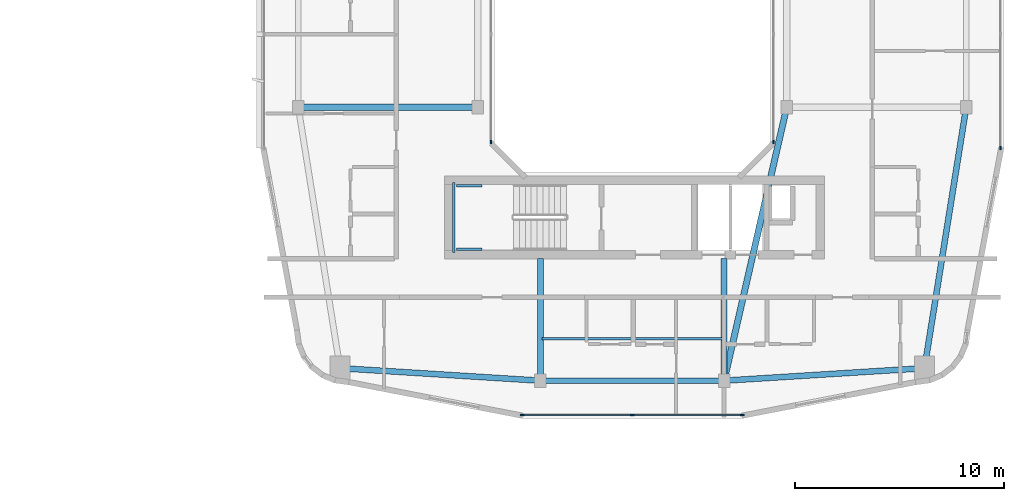
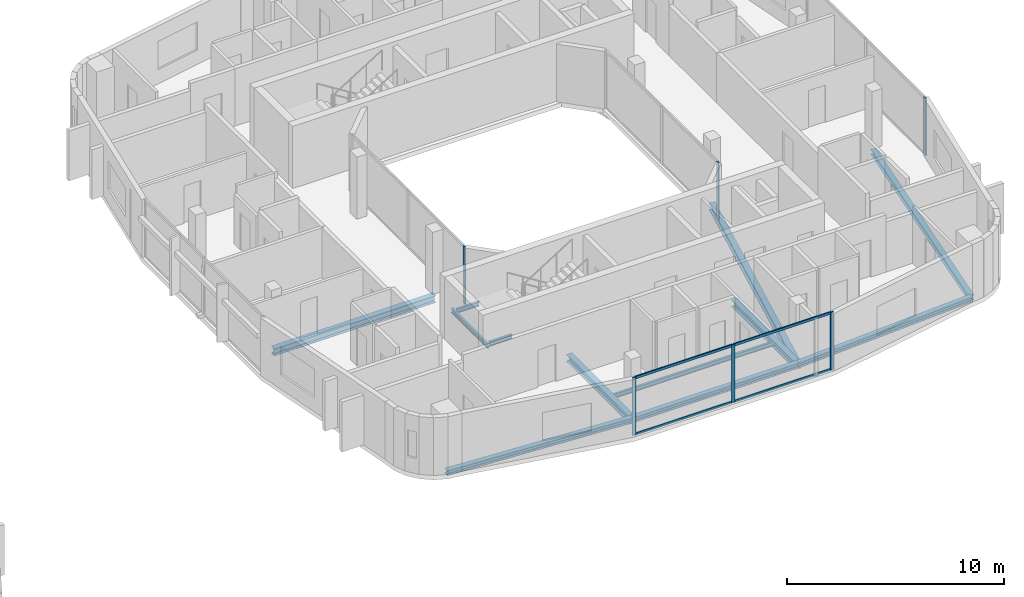
# One storey, part 8 of 26: 12 beams, 10 members, 4 elements without a shape of their own.
"""IFC4 building model written with IfcOpenShell, lengths in metres."""

from ifc_helpers import new_model, si_unit, derived_unit, direction, frame, origin, origin_2d, place, context, subcontext, project, spatial, rectangle, i_section, extrude, material, layer, layer_set, material_profile, profile_set, type_object, element, aggregate, save


model = new_model("IFC4")

# Units and contexts
model_context = context("Model", 3, precision=1e-05, world=origin(), true_north=direction((0.0, 1.0)))
body_context = subcontext(model_context, "Body", "Model", "MODEL_VIEW")
ifc_project = project(units=[si_unit("LENGTHUNIT", "METRE"), si_unit("AREAUNIT", "SQUARE_METRE"), si_unit("VOLUMEUNIT", "CUBIC_METRE"), si_unit("PLANEANGLEUNIT", "RADIAN"), si_unit("MASSUNIT", "GRAM", prefix="KILO"), derived_unit("THERMALTRANSMITTANCEUNIT", [(si_unit("POWERUNIT", "WATT"), 1), (si_unit("LENGTHUNIT", "METRE"), -2), (si_unit("THERMODYNAMICTEMPERATUREUNIT", "KELVIN"), -1)])], contexts=[model_context])

# Site, building, storey
site_placement = place(None, origin())
site = spatial("IfcSite", under=ifc_project, at=site_placement, CompositionType="ELEMENT")
building_placement = place(site_placement, origin())
building = spatial("IfcBuilding", under=site, at=building_placement, Name="Kivonza Crest Hotel", CompositionType="ELEMENT")
storey_placement = place(building_placement, frame((0.0, 0.0, 127.5)))
storey = spatial("IfcBuildingStorey", under=building, at=storey_placement, Name="L34", CompositionType="ELEMENT", Elevation=127.5)

# Beams
ifc_material_1 = material(Name="Steel S355", Category="steel")
ifc_material_profile_1 = material_profile(ifc_material_1, i_section(OverallWidth=0.280029296875, OverallDepth=0.280029296875, WebThickness=0.010498046875, FlangeThickness=0.01806640625, FilletRadius=0.02392578125, at=origin_2d()), Name="HEB 280")
ifc_profile_set_1 = profile_set([ifc_material_profile_1], Name="Steel S355")
beam_type_1 = type_object("IfcBeamType", Name="BM-HEB280", PredefinedType="SPANDREL", material=ifc_profile_set_1)
beam_1_placement = place(storey_placement, frame((72.60009765625, 8.39990234375, -0.389892578125), z_axis=(1.0, 0.0, 0.0), x_axis=(0.0, 1.0, 0.0)))
element("IfcBeam", 1, at=beam_1_placement, inside=storey, type_object=beam_type_1, Name="Companion Tower T2 L34 perimeter spandrel S1-S2", PredefinedType="SPANDREL", context=body_context, shape_type="SweptSolid", body=[
    extrude(i_section(OverallWidth=0.280029296875, OverallDepth=0.280029296875, WebThickness=0.010498046875, FlangeThickness=0.01806640625, FilletRadius=0.02392578125, at=origin_2d()), origin(), (0.0, 0.0, 1.0), 8.7998046875),
])
beam_2_placement = place(storey_placement, frame((81.39990234375, 8.39990234375, -0.389892578125), z_axis=(0.998051985873, 0.062387767186, 0.0), x_axis=(-0.062387767186, 0.998051985873, 0.0)))
element("IfcBeam", 2, at=beam_2_placement, inside=storey, type_object=beam_type_1, Name="Companion Tower T2 L34 perimeter spandrel S2-SE", PredefinedType="SPANDREL", context=body_context, shape_type="SweptSolid", body=[
    extrude(i_section(OverallWidth=0.280029296875, OverallDepth=0.280029296875, WebThickness=0.010498046875, FlangeThickness=0.01806640625, FilletRadius=0.02392578125, at=origin_2d()), origin(), (0.0, 0.0, 1.0), 9.618896484375),
])
beam_3_placement = place(storey_placement, frame((91.0, 9.0, -0.389892578125), z_axis=(0.157990501107, 0.987440631917, 0.0), x_axis=(-0.987440631917, 0.157990501107, 0.0)))
element("IfcBeam", 3, at=beam_3_placement, inside=storey, type_object=beam_type_1, Name="Companion Tower T2 L34 perimeter spandrel SE-E1", PredefinedType="SPANDREL", context=body_context, shape_type="SweptSolid", body=[
    extrude(i_section(OverallWidth=0.280029296875, OverallDepth=0.280029296875, WebThickness=0.010498046875, FlangeThickness=0.01806640625, FilletRadius=0.02392578125, at=origin_2d()), origin(), (0.0, 0.0, 1.0), 12.658935546875),
])
beam_4_placement = place(storey_placement, frame((63.0, 9.0, -0.389892578125), z_axis=(0.998051985873, -0.062387767186, 0.0), x_axis=(0.062387767186, 0.998051985873, 0.0)))
element("IfcBeam", 4, at=beam_4_placement, inside=storey, type_object=beam_type_1, Name="Companion Tower T2 L34 perimeter spandrel SW-S1", PredefinedType="SPANDREL", context=body_context, shape_type="SweptSolid", body=[
    extrude(i_section(OverallWidth=0.280029296875, OverallDepth=0.280029296875, WebThickness=0.010498046875, FlangeThickness=0.01806640625, FilletRadius=0.02392578125, at=origin_2d()), origin(), (0.0, 0.0, 1.0), 9.618896484375),
])
ifc_material_profile_2 = material_profile(ifc_material_1, i_section(OverallWidth=0.300048828125, OverallDepth=0.39990234375, WebThickness=0.013427734375, FlangeThickness=0.02392578125, FilletRadius=0.027099609375, at=origin_2d()), Name="HEB 400")
ifc_profile_set_2 = profile_set([ifc_material_profile_2], Name="Steel S355")
beam_type_2 = type_object("IfcBeamType", Name="BM-HEB400", PredefinedType="BEAM", material=ifc_profile_set_2)
beam_5_placement = place(storey_placement, frame((61.0, 21.5, -0.449951171875), z_axis=(1.0, 0.0, 0.0), x_axis=(0.0, 1.0, 0.0)))
element("IfcBeam", 5, at=beam_5_placement, inside=storey, type_object=beam_type_2, Name="Companion Tower T2 L34 girder W1-WL1", PredefinedType="BEAM", context=body_context, shape_type="SweptSolid", body=[
    extrude(i_section(OverallWidth=0.300048828125, OverallDepth=0.39990234375, WebThickness=0.013427734375, FlangeThickness=0.02392578125, FilletRadius=0.027099609375, at=origin_2d()), origin(), (0.0, 0.0, 1.0), 8.60009765625),
])
beam_6_placement = place(storey_placement, frame((84.39990234375, 21.5, -0.449951171875), z_axis=(-0.223227287589, -0.974766422317, 0.0), x_axis=(0.974766422317, -0.223227287589, 0.0)))
element("IfcBeam", 6, at=beam_6_placement, inside=storey, type_object=beam_type_2, Name="Companion Tower T2 L34 girder WR1-S2", PredefinedType="BEAM", context=body_context, shape_type="SweptSolid", body=[
    extrude(i_section(OverallWidth=0.300048828125, OverallDepth=0.39990234375, WebThickness=0.013427734375, FlangeThickness=0.02392578125, FilletRadius=0.027099609375, at=origin_2d()), origin(), (0.0, 0.0, 1.0), 13.439208984375),
])
for number, where, z_axis, x_axis, name in (
    (7, (72.60009765625, 8.39990234375, -0.449951171875), (0.0, 1.0, 0.0), (-1.0, 0.0, 0.0), "Companion T2 L34 radial core girder RS1"),
    (8, (81.39990234375, 8.39990234375, -0.449951171875), (0.0, 1.0, 0.0), (-1.0, 0.0, 0.0), "Companion T2 L34 radial core girder RS2"),
):
    element("IfcBeam", number, at=place(storey_placement, frame(where, z_axis=z_axis, x_axis=x_axis)), inside=storey, type_object=beam_type_2, Name=name, PredefinedType="BEAM", context=body_context, shape_type="SweptSolid", body=[
        extrude(i_section(OverallWidth=0.300048828125, OverallDepth=0.39990234375, WebThickness=0.013427734375, FlangeThickness=0.02392578125, FilletRadius=0.027099609375, at=origin_2d()), origin(), (0.0, 0.0, 1.0), 5.85009765625),
    ])
ifc_material_profile_3 = material_profile(ifc_material_1, i_section(OverallWidth=0.1201171875, OverallDepth=0.239990234375, WebThickness=0.006103515625, FlangeThickness=0.009765625, FilletRadius=0.014892578125, at=origin_2d()), Name="IPE 240")
ifc_profile_set_3 = profile_set([ifc_material_profile_3], Name="Steel S355")
beam_type_3 = type_object("IfcBeamType", Name="BM-IPE240", PredefinedType="JOIST", material=ifc_profile_set_3)
beam_7_placement = place(storey_placement, frame((72.679931640625, 10.39990234375, -0.3701171875), z_axis=(1.0, 0.0, 0.0), x_axis=(0.0, 1.0, 0.0)))
element("IfcBeam", 9, at=beam_7_placement, inside=storey, type_object=beam_type_3, Name="Companion Tower T2 L34 South floor joist", PredefinedType="JOIST", context=body_context, shape_type="SweptSolid", body=[
    extrude(i_section(OverallWidth=0.1201171875, OverallDepth=0.239990234375, WebThickness=0.006103515625, FlangeThickness=0.009765625, FilletRadius=0.014892578125, at=origin_2d()), origin(), (0.0, 0.0, 1.0), 8.64013671875),
])
ifc_material_profile_4 = material_profile(ifc_material_1, i_section(OverallWidth=0.1201171875, OverallDepth=0.239990234375, WebThickness=0.006103515625, FlangeThickness=0.009765625, FilletRadius=0.014892578125, at=origin_2d()), Name="IPE 240")
ifc_profile_set_4 = profile_set([ifc_material_profile_4], Name="Steel S355")
beam_type_4 = type_object("IfcBeamType", Name="BM-LLDG-240", PredefinedType="BEAM", material=ifc_profile_set_4)
beam_8_placement = place(storey_placement, frame((68.4599609375, 14.5400390625, 1.429931640625), z_axis=(0.0, 1.0, 0.0), x_axis=(-1.0, 0.0, 0.0)))
element("IfcBeam", 10, at=beam_8_placement, inside=storey, type_object=beam_type_4, Name="Stair ST-T2-S L34 West landing corbel", PredefinedType="BEAM", context=body_context, shape_type="SweptSolid", body=[
    extrude(i_section(OverallWidth=0.1201171875, OverallDepth=0.239990234375, WebThickness=0.006103515625, FlangeThickness=0.009765625, FilletRadius=0.014892578125, at=origin_2d()), origin(), (0.0, 0.0, 1.0), 3.35986328125),
])
for number, where, z_axis, x_axis, name in (
    (11, (68.590087890625, 14.699951171875, 1.429931640625), (1.0, 0.0, 0.0), (0.0, 1.0, 0.0), "Stair ST-T2-S L34 South landing corbel"),
    (12, (68.590087890625, 17.739990234375, 1.429931640625), (1.0, 0.0, 0.0), (0.0, 1.0, 0.0), "Stair ST-T2-S L34 North landing corbel"),
):
    element("IfcBeam", number, at=place(storey_placement, frame(where, z_axis=z_axis, x_axis=x_axis)), inside=storey, type_object=beam_type_4, Name=name, PredefinedType="BEAM", context=body_context, shape_type="SweptSolid", body=[
        extrude(i_section(OverallWidth=0.1201171875, OverallDepth=0.239990234375, WebThickness=0.006103515625, FlangeThickness=0.009765625, FilletRadius=0.014892578125, at=origin_2d()), origin(), (0.0, 0.0, 1.0), 1.2099609375),
    ])

# Curtain wall, members
ifc_material_2 = material(Name="Anodised bronze aluminium and low-E double glazing", Category="aluminium")
ifc_layer_1 = layer(ifc_material_2, 0.179931640625)
ifc_layer_set_1 = layer_set([ifc_layer_1], Name="Anodised bronze aluminium and low-E double glazing")
curtain_wall_type_1 = type_object("IfcCurtainWallType", Name="CW-SYS-4", PredefinedType="NOTDEFINED", material=ifc_layer_set_1)
curtain_wall_1_placement = place(storey_placement, origin())
curtain_wall_1 = element("IfcCurtainWall", 13, at=curtain_wall_1_placement, inside=storey, type_object=curtain_wall_type_1, Name="L34 unitised curtain wall CW-T2-L34-08", PredefinedType="NOTDEFINED")
ifc_material_3 = material(Name="Anodised bronze aluminium", Category="aluminium")
ifc_material_profile_5 = material_profile(ifc_material_3, rectangle(XDim=0.06494140625, YDim=0.179931640625, at=origin_2d()), Name="CW-M 65x180")
ifc_profile_set_5 = profile_set([ifc_material_profile_5], Name="Anodised bronze aluminium")
member_type_1 = type_object("IfcMemberType", Name="CW-MUL-65x180", PredefinedType="MULLION", material=ifc_profile_set_5)
member_1_placement = place(storey_placement, frame((71.732421875, 6.760009765625, 0.0), z_axis=(0.0, 0.0, 1.0), x_axis=(0.0, 1.0, 0.0)))
member_1 = element("IfcMember", 14, at=member_1_placement, type_object=member_type_1, Name="CW-4 mullion 1", PredefinedType="MULLION", context=body_context, shape_type="SweptSolid", body=[
    extrude(rectangle(XDim=0.06494140625, YDim=0.179931640625, at=origin_2d()), origin(), (0.0, 0.0, 1.0), 3.25),
])
member_2_placement = place(storey_placement, frame((77.0, 6.760009765625, 0.0), z_axis=(0.0, 0.0, 1.0), x_axis=(0.0, 1.0, 0.0)))
member_2 = element("IfcMember", 15, at=member_2_placement, type_object=member_type_1, Name="CW-4 mullion 2", PredefinedType="MULLION", context=body_context, shape_type="SweptSolid", body=[
    extrude(rectangle(XDim=0.06494140625, YDim=0.179931640625, at=origin_2d()), origin(), (0.0, 0.0, 1.0), 3.25),
])
member_3_placement = place(storey_placement, frame((82.267578125, 6.760009765625, 0.0), z_axis=(0.0, 0.0, 1.0), x_axis=(0.0, 1.0, 0.0)))
member_3 = element("IfcMember", 16, at=member_3_placement, type_object=member_type_1, Name="CW-4 mullion 3", PredefinedType="MULLION", context=body_context, shape_type="SweptSolid", body=[
    extrude(rectangle(XDim=0.06494140625, YDim=0.179931640625, at=origin_2d()), origin(), (0.0, 0.0, 1.0), 3.25),
])

# Curtain wall, member
curtain_wall_2_placement = place(storey_placement, origin())
curtain_wall_2 = element("IfcCurtainWall", 17, at=curtain_wall_2_placement, inside=storey, type_object=curtain_wall_type_1, Name="L34 unitised curtain wall CW-T2-L34-17", PredefinedType="NOTDEFINED")
member_4_placement = place(storey_placement, frame((94.639892578125, 19.552490234375, 0.0), z_axis=(0.0, 0.0, 1.0), x_axis=(-1.0, 0.0, 0.0)))
member_4 = element("IfcMember", 18, at=member_4_placement, type_object=member_type_1, Name="CW-4 mullion 1", PredefinedType="MULLION", context=body_context, shape_type="SweptSolid", body=[
    extrude(rectangle(XDim=0.06494140625, YDim=0.179931640625, at=origin_2d()), origin(), (0.0, 0.0, 1.0), 3.25),
])
aggregate(curtain_wall_2, [member_4])

ifc_layer_2 = layer(ifc_material_2, 0.159912109375)
ifc_layer_set_2 = layer_set([ifc_layer_2], Name="Anodised bronze aluminium and low-E double glazing")
curtain_wall_type_2 = type_object("IfcCurtainWallType", Name="CW-SYS-5", PredefinedType="NOTDEFINED", material=ifc_layer_set_2)
curtain_wall_3_placement = place(storey_placement, origin())
curtain_wall_3 = element("IfcCurtainWall", 19, at=curtain_wall_3_placement, inside=storey, type_object=curtain_wall_type_2, Name="L34 unitised curtain wall CW-WELL-T2-L34-3", PredefinedType="NOTDEFINED")
member_5_placement = place(storey_placement, frame((83.760009765625, 19.83251953125, 0.0), z_axis=(0.0, 0.0, 1.0), x_axis=(-1.0, 0.0, 0.0)))
member_5 = element("IfcMember", 20, at=member_5_placement, type_object=member_type_1, Name="CW-5 mullion 1", PredefinedType="MULLION", context=body_context, shape_type="SweptSolid", body=[
    extrude(rectangle(XDim=0.06494140625, YDim=0.179931640625, at=origin_2d()), origin(), (0.0, 0.0, 1.0), 3.25),
])
aggregate(curtain_wall_3, [member_5])

curtain_wall_4_placement = place(storey_placement, origin())
curtain_wall_4 = element("IfcCurtainWall", 21, at=curtain_wall_4_placement, inside=storey, type_object=curtain_wall_type_2, Name="L34 unitised curtain wall CW-WELL-T2-L34-7", PredefinedType="NOTDEFINED")
member_6_placement = place(storey_placement, frame((70.239990234375, 19.83251953125, 0.0), z_axis=(0.0, 0.0, 1.0), x_axis=(1.0, 0.0, 0.0)))
member_6 = element("IfcMember", 22, at=member_6_placement, type_object=member_type_1, Name="CW-5 mullion 3", PredefinedType="MULLION", context=body_context, shape_type="SweptSolid", body=[
    extrude(rectangle(XDim=0.06494140625, YDim=0.179931640625, at=origin_2d()), origin(), (0.0, 0.0, 1.0), 3.25),
])
aggregate(curtain_wall_4, [member_6])

# Member
ifc_material_profile_6 = material_profile(ifc_material_3, rectangle(XDim=0.06494140625, YDim=0.139892578125, at=origin_2d()), Name="CW-T 65x140")
ifc_profile_set_6 = profile_set([ifc_material_profile_6], Name="Anodised bronze aluminium")
member_type_2 = type_object("IfcMemberType", Name="CW-TRN-65x140", PredefinedType="USERDEFINED", material=ifc_profile_set_6)
member_7_placement = place(storey_placement, frame((71.764892578125, 6.760009765625, 0.032470703125), z_axis=(1.0, 0.0, 0.0), x_axis=(0.0, 1.0, 0.0)))
member_7 = element("IfcMember", 23, at=member_7_placement, type_object=member_type_2, Name="CW-4 transom 1.1", ObjectType="TRANSOM", PredefinedType="USERDEFINED", context=body_context, shape_type="SweptSolid", body=[
    extrude(rectangle(XDim=0.06494140625, YDim=0.139892578125, at=origin_2d()), origin(), (0.0, 0.0, 1.0), 5.20263671875),
])

member_8_placement = place(storey_placement, frame((71.764892578125, 6.760009765625, 3.217529296875), z_axis=(1.0, 0.0, 0.0), x_axis=(0.0, 1.0, 0.0)))
member_8 = element("IfcMember", 24, at=member_8_placement, type_object=member_type_2, Name="CW-4 transom 1.2", ObjectType="TRANSOM", PredefinedType="USERDEFINED", context=body_context, shape_type="SweptSolid", body=[
    extrude(rectangle(XDim=0.06494140625, YDim=0.139892578125, at=origin_2d()), origin(), (0.0, 0.0, 1.0), 5.20263671875),
])

member_9_placement = place(storey_placement, frame((77.032470703125, 6.760009765625, 0.032470703125), z_axis=(1.0, 0.0, 0.0), x_axis=(0.0, 1.0, 0.0)))
member_9 = element("IfcMember", 25, at=member_9_placement, type_object=member_type_2, Name="CW-4 transom 2.1", ObjectType="TRANSOM", PredefinedType="USERDEFINED", context=body_context, shape_type="SweptSolid", body=[
    extrude(rectangle(XDim=0.06494140625, YDim=0.139892578125, at=origin_2d()), origin(), (0.0, 0.0, 1.0), 5.20263671875),
])

member_10_placement = place(storey_placement, frame((77.032470703125, 6.760009765625, 3.217529296875), z_axis=(1.0, 0.0, 0.0), x_axis=(0.0, 1.0, 0.0)))
member_10 = element("IfcMember", 26, at=member_10_placement, type_object=member_type_2, Name="CW-4 transom 2.2", ObjectType="TRANSOM", PredefinedType="USERDEFINED", context=body_context, shape_type="SweptSolid", body=[
    extrude(rectangle(XDim=0.06494140625, YDim=0.139892578125, at=origin_2d()), origin(), (0.0, 0.0, 1.0), 5.20263671875),
])

aggregate(curtain_wall_1, [member_1, member_2, member_3, member_7, member_8, member_9, member_10])

save(model, "model.ifc")
